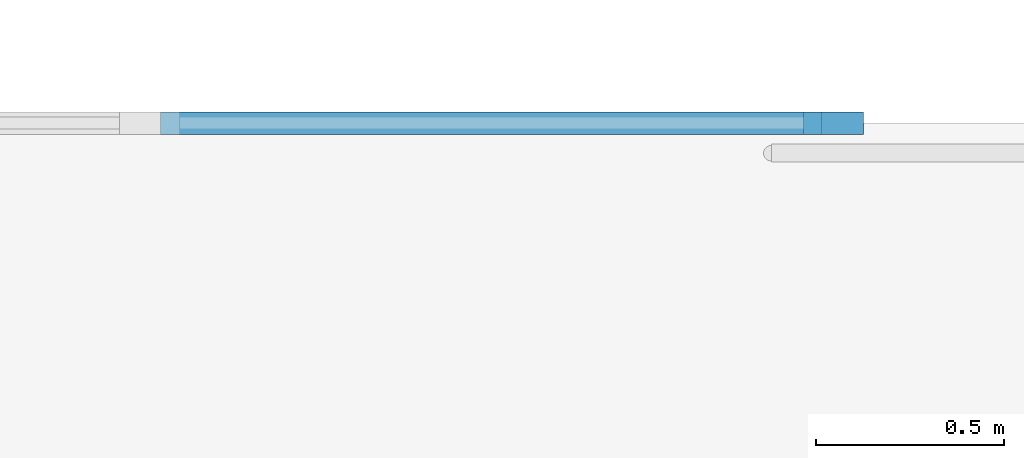
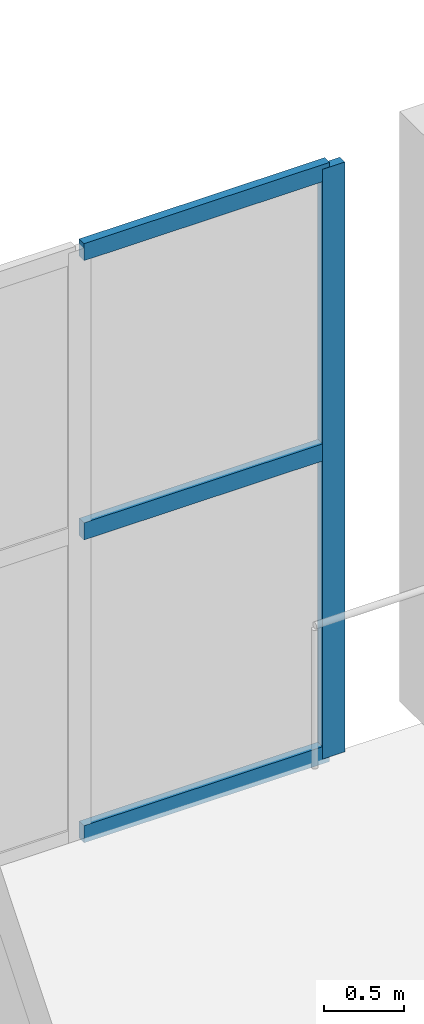
# One storey, part 51 of 129: 4 members, 1 element without a shape of its own.
"""IFC4 building model written with IfcOpenShell, lengths in metres."""

from ifc_helpers import new_model, si_unit, direction, frame, origin, origin_2d, place, context, subcontext, project, spatial, rectangle, extrude, material, material_profile, profile_set, type_object, element, aggregate, save


model = new_model("IFC4")

# Units and contexts
model_context = context("Model", 3, precision=1e-05, world=origin(), true_north=direction((0.0, 1.0)))
body_context = subcontext(model_context, "Body", "Model", "MODEL_VIEW")
ifc_project = project(units=[si_unit("LENGTHUNIT", "METRE"), si_unit("AREAUNIT", "SQUARE_METRE"), si_unit("VOLUMEUNIT", "CUBIC_METRE"), si_unit("PLANEANGLEUNIT", "RADIAN"), si_unit("MASSUNIT", "GRAM", prefix="KILO")], contexts=[model_context])

# Site, building, storey
site_placement = place(None, origin())
site = spatial("IfcSite", under=ifc_project, at=site_placement, CompositionType="ELEMENT")
building_placement = place(site_placement, origin())
building = spatial("IfcBuilding", under=site, at=building_placement, Name="Koshinbarg Plaza Stadium", CompositionType="ELEMENT")
storey_placement = place(building_placement, frame((0.0, 0.0, 5.39990234375)))
storey = spatial("IfcBuildingStorey", under=building, at=storey_placement, Name="L01", CompositionType="ELEMENT", Elevation=5.39990234375)

# Curtain wall, members
ifc_material_1 = material(Name="Thermally broken anodised aluminium and low-E double glazing", Category="aluminium")
curtain_wall_type = type_object("IfcCurtainWallType", Name="CW-SYS-14", PredefinedType="NOTDEFINED", material=ifc_material_1)
curtain_wall_placement = place(storey_placement, origin())
curtain_wall = element("IfcCurtainWall", 1, at=curtain_wall_placement, inside=storey, type_object=curtain_wall_type, Name="L01 unitised curtain wall CW-L01-013", PredefinedType="NOTDEFINED")
ifc_material_2 = material(Name="Anodised aluminium mullion", Category="aluminium")
ifc_material_profile_1 = material_profile(ifc_material_2, rectangle(XDim=0.06005859375, YDim=0.159912109375, at=origin_2d()), Name="ALU 60x160")
ifc_profile_set_1 = profile_set([ifc_material_profile_1], Name="Anodised aluminium mullion")
member_type_1 = type_object("IfcMemberType", Name="CW-MUL-02", PredefinedType="MULLION", material=ifc_profile_set_1)
member_1_placement = place(storey_placement, frame((87.35009765625, 152.0, 0.0), z_axis=(0.0, 0.0, 1.0), x_axis=(0.0, 1.0, 0.0)))
member_1 = element("IfcMember", 2, at=member_1_placement, type_object=member_type_1, Name="CW14 mullion 4", PredefinedType="MULLION", context=body_context, shape_type="SweptSolid", body=[
    extrude(rectangle(XDim=0.06005859375, YDim=0.159912109375, at=origin_2d()), origin(), (0.0, 0.0, 1.0), 4.47998046875),
])
ifc_material_3 = material(Name="Anodised aluminium transom", Category="aluminium")
ifc_material_profile_2 = material_profile(ifc_material_3, rectangle(XDim=0.06005859375, YDim=0.1298828125, at=origin_2d()), Name="ALU 60x130")
ifc_profile_set_2 = profile_set([ifc_material_profile_2], Name="Anodised aluminium transom")
member_type_2 = type_object("IfcMemberType", Name="CW-TRN-02", PredefinedType="USERDEFINED", material=ifc_profile_set_2)
member_2_placement = place(storey_placement, frame((85.556640625, 152.0, 0.030029296875), z_axis=(1.0, 0.0, 0.0), x_axis=(0.0, 1.0, 0.0)))
member_2 = element("IfcMember", 3, at=member_2_placement, type_object=member_type_2, Name="CW14 transom 3.1", ObjectType="TRANSOM", PredefinedType="USERDEFINED", context=body_context, shape_type="SweptSolid", body=[
    extrude(rectangle(XDim=0.06005859375, YDim=0.1298828125, at=origin_2d()), origin(), (0.0, 0.0, 1.0), 1.763427734375),
])
member_3_placement = place(storey_placement, frame((85.556640625, 152.0, 2.32958984375), z_axis=(1.0, 0.0, 0.0), x_axis=(0.0, 1.0, 0.0)))
member_3 = element("IfcMember", 4, at=member_3_placement, type_object=member_type_2, Name="CW14 transom 3.2", ObjectType="TRANSOM", PredefinedType="USERDEFINED", context=body_context, shape_type="SweptSolid", body=[
    extrude(rectangle(XDim=0.06005859375, YDim=0.1298828125, at=origin_2d()), origin(), (0.0, 0.0, 1.0), 1.763427734375),
])
member_4_placement = place(storey_placement, frame((85.556640625, 152.0, 4.4501953125), z_axis=(1.0, 0.0, 0.0), x_axis=(0.0, 1.0, 0.0)))
member_4 = element("IfcMember", 5, at=member_4_placement, type_object=member_type_2, Name="CW14 transom 3.3", ObjectType="TRANSOM", PredefinedType="USERDEFINED", context=body_context, shape_type="SweptSolid", body=[
    extrude(rectangle(XDim=0.06005859375, YDim=0.1298828125, at=origin_2d()), origin(), (0.0, 0.0, 1.0), 1.763427734375),
])
aggregate(curtain_wall, [member_1, member_2, member_3, member_4])

save(model, "model.ifc")
